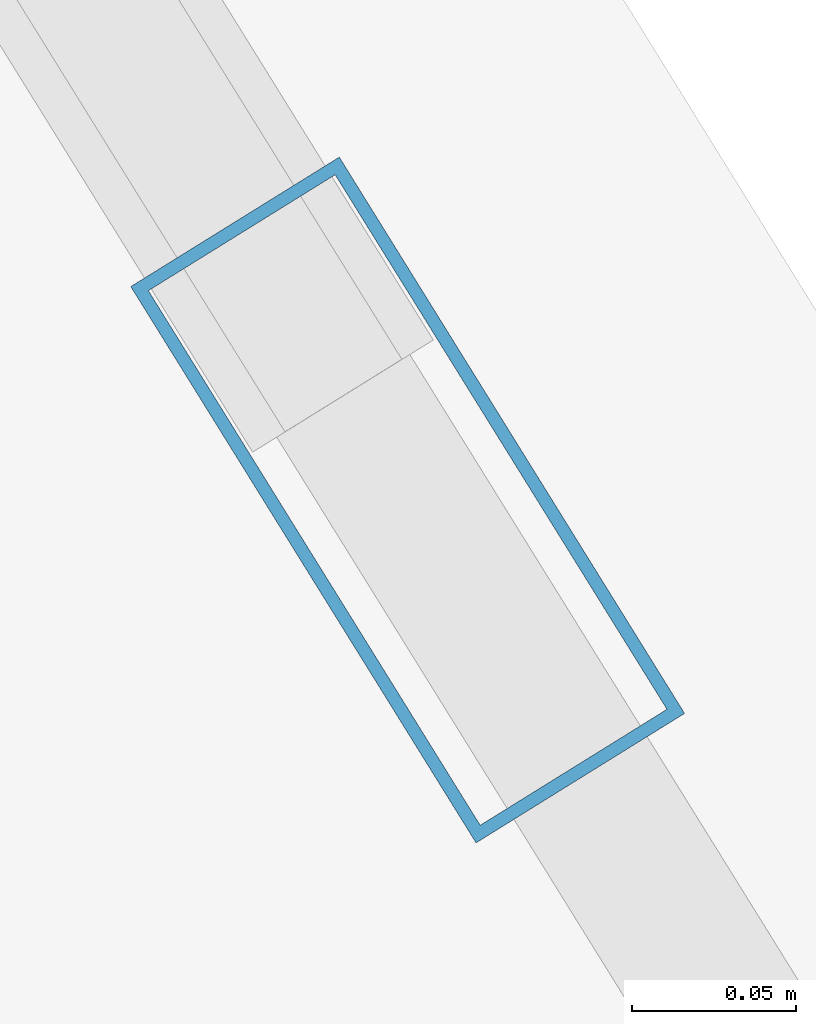
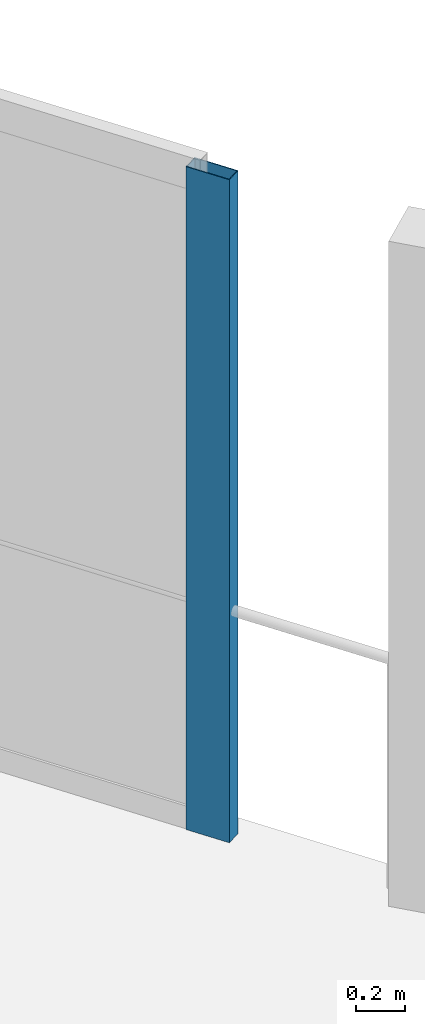
# One storey, part 11 of 19: 1 member, 1 element without a shape of its own.
"""IFC4 building model written with IfcOpenShell, lengths in metres."""

from ifc_helpers import new_model, si_unit, direction, frame, origin, origin_2d, place, context, subcontext, project, spatial, hollow_rectangle, extrude, material, layer, layer_set, material_profile, profile_set, type_object, element, aggregate, save


model = new_model("IFC4")

# Units and contexts
model_context = context("Model", 3, precision=1e-05, world=origin(), true_north=direction((0.0, 1.0)))
body_context = subcontext(model_context, "Body", "Model", "MODEL_VIEW")
ifc_project = project(units=[si_unit("LENGTHUNIT", "METRE"), si_unit("AREAUNIT", "SQUARE_METRE"), si_unit("VOLUMEUNIT", "CUBIC_METRE"), si_unit("PLANEANGLEUNIT", "RADIAN"), si_unit("MASSUNIT", "GRAM", prefix="KILO")], contexts=[model_context])

# Site, building, storey
site_placement = place(None, origin())
site = spatial("IfcSite", under=ifc_project, at=site_placement, CompositionType="ELEMENT")
building_placement = place(site_placement, origin())
building = spatial("IfcBuilding", under=site, at=building_placement, Name="Solvane Sanctuary Tower", CompositionType="ELEMENT")
storey_placement = place(building_placement, frame((0.0, 0.0, 249.60009765625)))
storey = spatial("IfcBuildingStorey", under=building, at=storey_placement, Name="L76", CompositionType="ELEMENT", Elevation=249.60009765625)

# Curtain wall, member
ifc_material = material(Name="Anodised Aluminium 6063-T6", Category="aluminium")
ifc_layer = layer(ifc_material, 0.18994140625, Name="Anodised Aluminium 6063-T6")
ifc_layer_set = layer_set([ifc_layer], Name="Anodised Aluminium 6063-T6")
curtain_wall_type = type_object("IfcCurtainWallType", Name="Curtain Wall CW-OPER", PredefinedType="NOTDEFINED", material=ifc_layer_set)
curtain_wall_placement = place(storey_placement, origin())
curtain_wall = element("IfcCurtainWall", 1, at=curtain_wall_placement, inside=storey, type_object=curtain_wall_type, Name="L76 CW-OPER Facade Run 04", PredefinedType="NOTDEFINED")
ifc_material_profile = material_profile(ifc_material, hollow_rectangle(XDim=0.074951171875, YDim=0.199951171875, WallThickness=0.00390625, at=origin_2d()), Name="ALU200X75X4")
ifc_profile_set = profile_set([ifc_material_profile], Name="Anodised Aluminium 6063-T6")
member_type = type_object("IfcMemberType", Name="Member M-CW-MUL-1 ALU200X75X4", PredefinedType="MULLION", material=ifc_profile_set)
member_placement = place(storey_placement, frame((43.417724609375, 39.398681640625, 0.0), z_axis=(0.0, 0.0, 1.0), x_axis=(-0.849622273102, -0.527391688453, 0.0)))
member = element("IfcMember", 2, at=member_placement, type_object=member_type, Name="CW-OPER mullion 1", PredefinedType="MULLION", context=body_context, shape_type="SweptSolid", body=[
    extrude(hollow_rectangle(XDim=0.074951171875, YDim=0.199951171875, WallThickness=0.00390625, at=origin_2d()), origin(), (0.0, 0.0, 1.0), 3.27978515625),
])
aggregate(curtain_wall, [member])

save(model, "model.ifc")
